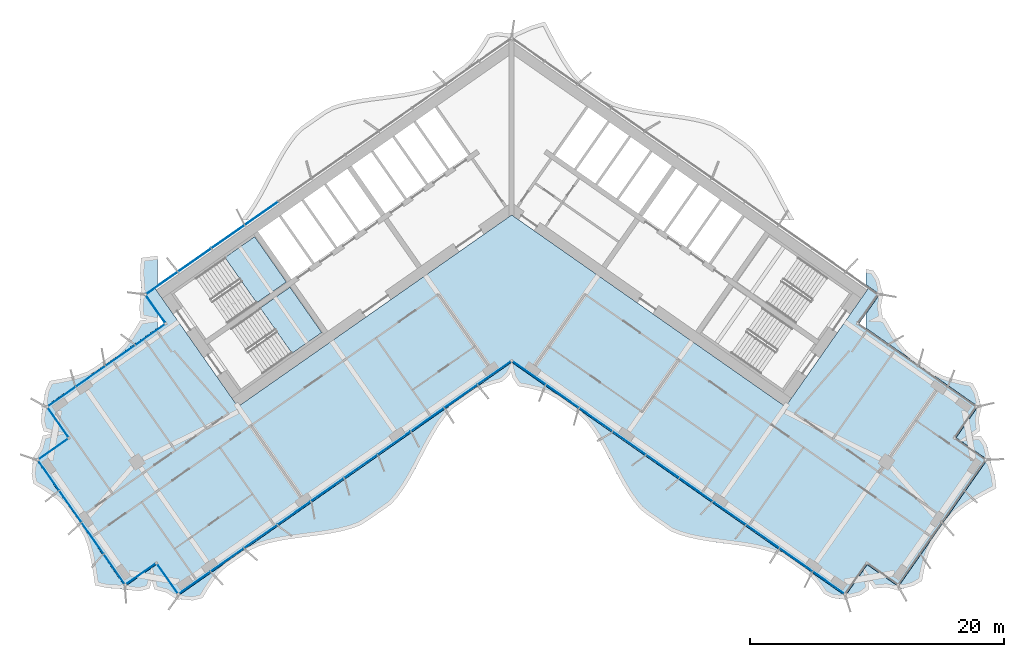
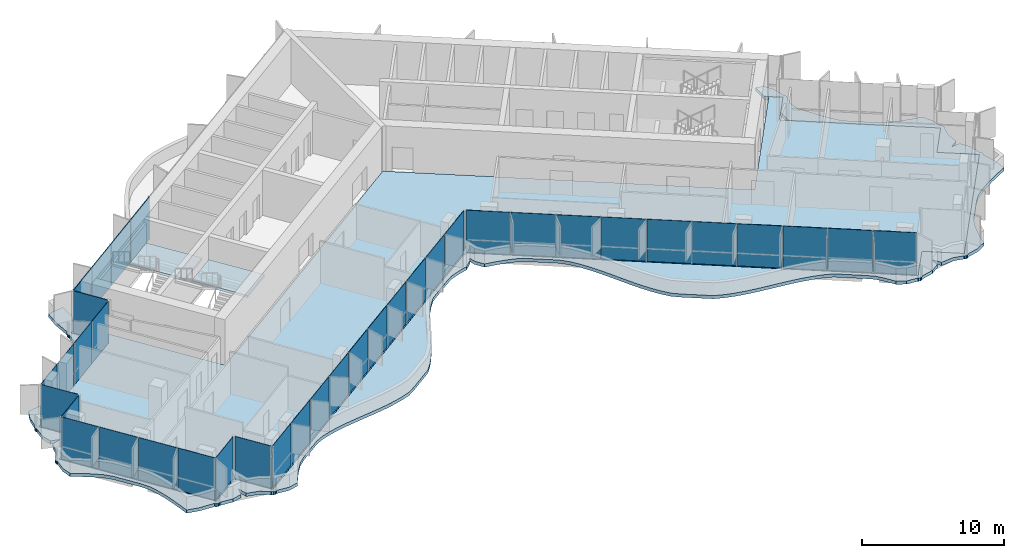
# One storey, part 12 of 23: 37 plates, 4 slabs, 4 elements without a shape of their own.
"""IFC4 building model written with IfcOpenShell, lengths in metres."""

from ifc_helpers import new_model, si_unit, direction, frame, origin, origin_2d, place, context, subcontext, project, spatial, polyline, rectangle, outline, extrude, material, layer, layer_set, type_object, element, aggregate, save


model = new_model("IFC4")

# Units and contexts
model_context = context("Model", 3, precision=1e-05, world=origin(), true_north=direction((0.0, 1.0)))
body_context = subcontext(model_context, "Body", "Model", "MODEL_VIEW")
ifc_project = project(units=[si_unit("LENGTHUNIT", "METRE"), si_unit("AREAUNIT", "SQUARE_METRE"), si_unit("VOLUMEUNIT", "CUBIC_METRE"), si_unit("PLANEANGLEUNIT", "RADIAN"), si_unit("MASSUNIT", "GRAM", prefix="KILO")], contexts=[model_context])

# Site, building, storey
site_placement = place(None, origin())
site = spatial("IfcSite", under=ifc_project, at=site_placement, CompositionType="ELEMENT")
building_placement = place(site_placement, origin())
building = spatial("IfcBuilding", under=site, at=building_placement, Name="Tel Ilan Convention Tower", CompositionType="ELEMENT")
storey_placement = place(building_placement, frame((0.0, 0.0, 178.800048828125)))
storey = spatial("IfcBuildingStorey", under=building, at=storey_placement, Name="L41", CompositionType="ELEMENT", Elevation=178.800048828125)

# Curtain wall, plates
ifc_material_1 = material(Name="Aluminium, bronze anodised", Category="aluminium")
curtain_wall_type_1 = type_object("IfcCurtainWallType", Name="CW4 STICK CURTAIN WALL, OFFICE TINTED GLASS", PredefinedType="NOTDEFINED", material=ifc_material_1)
curtain_wall_1_placement = place(storey_placement, origin())
curtain_wall_1 = element("IfcCurtainWall", 1, at=curtain_wall_1_placement, inside=storey, type_object=curtain_wall_type_1, Name="Curtain wall CW4-31.02", PredefinedType="NOTDEFINED")
ifc_material_2 = material(Name="Glass, bronze tinted, two-ply", Category="glass")
ifc_layer_1 = layer(ifc_material_2, 0.028076171875)
ifc_layer_set_1 = layer_set([ifc_layer_1], Name="CW GLASS PANEL 28")
plate_type_1 = type_object("IfcPlateType", Name="CW GLASS PANEL 28", PredefinedType="CURTAIN_PANEL", material=ifc_layer_set_1)
plate_1_placement = place(storey_placement, frame((-28.450927734375, -10.6435546875, 0.0), z_axis=(0.0, 0.0, 1.0), x_axis=(-0.819152044289, -0.573576436351, 0.0)))
plate_1 = element("IfcPlate", 2, at=plate_1_placement, type_object=plate_type_1, Name="Glass panel", PredefinedType="CURTAIN_PANEL", context=body_context, shape_type="SweptSolid", body=[
    extrude(rectangle(XDim=2.819091796875, YDim=0.028076171875, at=origin_2d()), origin(), (0.0, 0.0, 1.0), 3.6201171875),
])
plate_2_placement = place(storey_placement, frame((-30.79736328125, -12.28662109375, 0.0), z_axis=(0.0, 0.0, 1.0), x_axis=(-0.819152044289, -0.573576436351, 0.0)))
plate_2 = element("IfcPlate", 3, at=plate_2_placement, type_object=plate_type_1, Name="Glass panel", PredefinedType="CURTAIN_PANEL", context=body_context, shape_type="SweptSolid", body=[
    extrude(rectangle(XDim=2.7900390625, YDim=0.028076171875, at=origin_2d()), origin(), (0.0, 0.0, 1.0), 3.6201171875),
])
plate_3_placement = place(storey_placement, frame((-33.1318359375, -13.92138671875, 0.0), z_axis=(0.0, 0.0, 1.0), x_axis=(-0.819152044289, -0.573576436351, 0.0)))
plate_3 = element("IfcPlate", 4, at=plate_3_placement, type_object=plate_type_1, Name="Glass panel", PredefinedType="CURTAIN_PANEL", context=body_context, shape_type="SweptSolid", body=[
    extrude(rectangle(XDim=2.7900390625, YDim=0.028076171875, at=origin_2d()), origin(), (0.0, 0.0, 1.0), 3.6201171875),
])
plate_4_placement = place(storey_placement, frame((-35.427978515625, -15.529052734375, 0.0), z_axis=(0.0, 0.0, 1.0), x_axis=(-0.819152044289, -0.573576436351, 0.0)))
plate_4 = element("IfcPlate", 5, at=plate_4_placement, type_object=plate_type_1, Name="Glass panel", PredefinedType="CURTAIN_PANEL", context=body_context, shape_type="SweptSolid", body=[
    extrude(rectangle(XDim=2.696044921875, YDim=0.028076171875, at=origin_2d()), origin(), (0.0, 0.0, 1.0), 3.6201171875),
])
plate_5_placement = place(storey_placement, frame((-35.713623046875, -17.51318359375, 0.0), z_axis=(0.0, 0.0, 1.0), x_axis=(0.573576436351, -0.819152044289, 0.0)))
plate_5 = element("IfcPlate", 6, at=plate_5_placement, type_object=plate_type_1, Name="Glass panel", PredefinedType="CURTAIN_PANEL", context=body_context, shape_type="SweptSolid", body=[
    extrude(rectangle(XDim=2.875, YDim=0.028076171875, at=origin_2d()), origin(), (0.0, 0.0, 1.0), 3.6201171875),
])
plate_6_placement = place(storey_placement, frame((-36.09130859375, -19.656005859375, 0.0), z_axis=(0.0, 0.0, 1.0), x_axis=(-0.819152044289, -0.573576436351, 0.0)))
plate_6 = element("IfcPlate", 7, at=plate_6_placement, type_object=plate_type_1, Name="Glass panel", PredefinedType="CURTAIN_PANEL", context=body_context, shape_type="SweptSolid", body=[
    extrude(rectangle(XDim=2.875, YDim=0.028076171875, at=origin_2d()), origin(), (0.0, 0.0, 1.0), 3.6201171875),
])
plate_7_placement = place(storey_placement, frame((-36.4443359375, -21.699951171875, 0.0), z_axis=(0.0, 0.0, 1.0), x_axis=(0.573576436351, -0.819152044289, 0.0)))
plate_7 = element("IfcPlate", 8, at=plate_7_placement, type_object=plate_type_1, Name="Glass panel", PredefinedType="CURTAIN_PANEL", context=body_context, shape_type="SweptSolid", body=[
    extrude(rectangle(XDim=2.89599609375, YDim=0.028076171875, at=origin_2d()), origin(), (0.0, 0.0, 1.0), 3.6201171875),
])
plate_8_placement = place(storey_placement, frame((-34.721923828125, -24.159912109375, 0.0), z_axis=(0.0, 0.0, 1.0), x_axis=(0.573576436351, -0.819152044289, 0.0)))
plate_8 = element("IfcPlate", 9, at=plate_8_placement, type_object=plate_type_1, Name="Glass panel", PredefinedType="CURTAIN_PANEL", context=body_context, shape_type="SweptSolid", body=[
    extrude(rectangle(XDim=2.989990234375, YDim=0.028076171875, at=origin_2d()), origin(), (0.0, 0.0, 1.0), 3.6201171875),
])
plate_9_placement = place(storey_placement, frame((-32.972412109375, -26.658203125, 0.0), z_axis=(0.0, 0.0, 1.0), x_axis=(0.573576436351, -0.819152044289, 0.0)))
plate_9 = element("IfcPlate", 10, at=plate_9_placement, type_object=plate_type_1, Name="Glass panel", PredefinedType="CURTAIN_PANEL", context=body_context, shape_type="SweptSolid", body=[
    extrude(rectangle(XDim=2.989990234375, YDim=0.028076171875, at=origin_2d()), origin(), (0.0, 0.0, 1.0), 3.6201171875),
])
plate_10_placement = place(storey_placement, frame((-31.25, -29.1181640625, 0.0), z_axis=(0.0, 0.0, 1.0), x_axis=(0.573576436351, -0.819152044289, 0.0)))
plate_10 = element("IfcPlate", 11, at=plate_10_placement, type_object=plate_type_1, Name="Glass panel", PredefinedType="CURTAIN_PANEL", context=body_context, shape_type="SweptSolid", body=[
    extrude(rectangle(XDim=2.89599609375, YDim=0.028076171875, at=origin_2d()), origin(), (0.0, 0.0, 1.0), 3.6201171875),
])
plate_11_placement = place(storey_placement, frame((-29.20849609375, -29.48583984375, 0.0), z_axis=(0.0, 0.0, 1.0), x_axis=(0.819152044289, 0.573576436351, 0.0)))
plate_11 = element("IfcPlate", 12, at=plate_11_placement, type_object=plate_type_1, Name="Glass panel", PredefinedType="CURTAIN_PANEL", context=body_context, shape_type="SweptSolid", body=[
    extrude(rectangle(XDim=2.875, YDim=0.028076171875, at=origin_2d()), origin(), (0.0, 0.0, 1.0), 3.6201171875),
])
plate_12_placement = place(storey_placement, frame((-27.065673828125, -29.863525390625, 0.0), z_axis=(0.0, 0.0, 1.0), x_axis=(0.573576436351, -0.819152044289, 0.0)))
plate_12 = element("IfcPlate", 13, at=plate_12_placement, type_object=plate_type_1, Name="Glass panel", PredefinedType="CURTAIN_PANEL", context=body_context, shape_type="SweptSolid", body=[
    extrude(rectangle(XDim=2.875, YDim=0.028076171875, at=origin_2d()), origin(), (0.0, 0.0, 1.0), 3.6201171875),
])
plate_13_placement = place(storey_placement, frame((-24.958251953125, -30.172119140625, 0.0), z_axis=(0.0, 0.0, 1.0), x_axis=(0.819152044289, 0.573576436351, 0.0)))
plate_13 = element("IfcPlate", 14, at=plate_13_placement, type_object=plate_type_1, Name="Glass panel", PredefinedType="CURTAIN_PANEL", context=body_context, shape_type="SweptSolid", body=[
    extrude(rectangle(XDim=3.05078125, YDim=0.028076171875, at=origin_2d()), origin(), (0.0, 0.0, 1.0), 3.6201171875),
])
plate_14_placement = place(storey_placement, frame((-22.37158203125, -28.36083984375, 0.0), z_axis=(0.0, 0.0, 1.0), x_axis=(0.819152044289, 0.573576436351, 0.0)))
plate_14 = element("IfcPlate", 15, at=plate_14_placement, type_object=plate_type_1, Name="Glass panel", PredefinedType="CURTAIN_PANEL", context=body_context, shape_type="SweptSolid", body=[
    extrude(rectangle(XDim=3.144775390625, YDim=0.028076171875, at=origin_2d()), origin(), (0.0, 0.0, 1.0), 3.6201171875),
])
plate_15_placement = place(storey_placement, frame((-19.746337890625, -26.522705078125, 0.0), z_axis=(0.0, 0.0, 1.0), x_axis=(0.819152044289, 0.573576436351, 0.0)))
plate_15 = element("IfcPlate", 16, at=plate_15_placement, type_object=plate_type_1, Name="Glass panel", PredefinedType="CURTAIN_PANEL", context=body_context, shape_type="SweptSolid", body=[
    extrude(rectangle(XDim=3.144775390625, YDim=0.028076171875, at=origin_2d()), origin(), (0.0, 0.0, 1.0), 3.6201171875),
])
plate_16_placement = place(storey_placement, frame((-17.12109375, -24.684326171875, 0.0), z_axis=(0.0, 0.0, 1.0), x_axis=(0.819152044289, 0.573576436351, 0.0)))
plate_16 = element("IfcPlate", 17, at=plate_16_placement, type_object=plate_type_1, Name="Glass panel", PredefinedType="CURTAIN_PANEL", context=body_context, shape_type="SweptSolid", body=[
    extrude(rectangle(XDim=3.144775390625, YDim=0.028076171875, at=origin_2d()), origin(), (0.0, 0.0, 1.0), 3.6201171875),
])
plate_17_placement = place(storey_placement, frame((-14.49609375, -22.84619140625, 0.0), z_axis=(0.0, 0.0, 1.0), x_axis=(0.819152044289, 0.573576436351, 0.0)))
plate_17 = element("IfcPlate", 18, at=plate_17_placement, type_object=plate_type_1, Name="Glass panel", PredefinedType="CURTAIN_PANEL", context=body_context, shape_type="SweptSolid", body=[
    extrude(rectangle(XDim=3.144775390625, YDim=0.028076171875, at=origin_2d()), origin(), (0.0, 0.0, 1.0), 3.6201171875),
])
plate_18_placement = place(storey_placement, frame((-11.870849609375, -21.008056640625, 0.0), z_axis=(0.0, 0.0, 1.0), x_axis=(0.819152044289, 0.573576436351, 0.0)))
plate_18 = element("IfcPlate", 19, at=plate_18_placement, type_object=plate_type_1, Name="Glass panel", PredefinedType="CURTAIN_PANEL", context=body_context, shape_type="SweptSolid", body=[
    extrude(rectangle(XDim=3.144775390625, YDim=0.028076171875, at=origin_2d()), origin(), (0.0, 0.0, 1.0), 3.6201171875),
])
plate_19_placement = place(storey_placement, frame((-9.24560546875, -19.169921875, 0.0), z_axis=(0.0, 0.0, 1.0), x_axis=(0.819152044289, 0.573576436351, 0.0)))
plate_19 = element("IfcPlate", 20, at=plate_19_placement, type_object=plate_type_1, Name="Glass panel", PredefinedType="CURTAIN_PANEL", context=body_context, shape_type="SweptSolid", body=[
    extrude(rectangle(XDim=3.144775390625, YDim=0.028076171875, at=origin_2d()), origin(), (0.0, 0.0, 1.0), 3.6201171875),
])
plate_20_placement = place(storey_placement, frame((-6.620361328125, -17.331787109375, 0.0), z_axis=(0.0, 0.0, 1.0), x_axis=(0.819152044289, 0.573576436351, 0.0)))
plate_20 = element("IfcPlate", 21, at=plate_20_placement, type_object=plate_type_1, Name="Glass panel", PredefinedType="CURTAIN_PANEL", context=body_context, shape_type="SweptSolid", body=[
    extrude(rectangle(XDim=3.144775390625, YDim=0.028076171875, at=origin_2d()), origin(), (0.0, 0.0, 1.0), 3.6201171875),
])
plate_21_placement = place(storey_placement, frame((-3.9951171875, -15.493408203125, 0.0), z_axis=(0.0, 0.0, 1.0), x_axis=(0.819152044289, 0.573576436351, 0.0)))
plate_21 = element("IfcPlate", 22, at=plate_21_placement, type_object=plate_type_1, Name="Glass panel", PredefinedType="CURTAIN_PANEL", context=body_context, shape_type="SweptSolid", body=[
    extrude(rectangle(XDim=3.144775390625, YDim=0.028076171875, at=origin_2d()), origin(), (0.0, 0.0, 1.0), 3.6201171875),
])
plate_22_placement = place(storey_placement, frame((-1.370361328125, -13.655517578125, 0.0), z_axis=(0.0, 0.0, 1.0), x_axis=(0.819152044289, 0.573576436351, 0.0)))
plate_22 = element("IfcPlate", 23, at=plate_22_placement, type_object=plate_type_1, Name="Glass panel", PredefinedType="CURTAIN_PANEL", context=body_context, shape_type="SweptSolid", body=[
    extrude(rectangle(XDim=3.143798828125, YDim=0.028076171875, at=origin_2d()), origin(), (0.0, 0.0, 1.0), 3.6201171875),
])
plate_23_placement = place(storey_placement, frame((1.3818359375, -13.66357421875, 0.0), z_axis=(0.0, 0.0, 1.0), x_axis=(0.819152044289, -0.573576436351, 0.0)))
plate_23 = element("IfcPlate", 24, at=plate_23_placement, type_object=plate_type_1, Name="Glass panel", PredefinedType="CURTAIN_PANEL", context=body_context, shape_type="SweptSolid", body=[
    extrude(rectangle(XDim=3.11572265625, YDim=0.028076171875, at=origin_2d()), origin(), (0.0, 0.0, 1.0), 3.6201171875),
])
plate_24_placement = place(storey_placement, frame((3.9951171875, -15.493408203125, 0.0), z_axis=(0.0, 0.0, 1.0), x_axis=(0.819152044289, -0.573576436351, 0.0)))
plate_24 = element("IfcPlate", 25, at=plate_24_placement, type_object=plate_type_1, Name="Glass panel", PredefinedType="CURTAIN_PANEL", context=body_context, shape_type="SweptSolid", body=[
    extrude(rectangle(XDim=3.144775390625, YDim=0.028076171875, at=origin_2d()), origin(), (0.0, 0.0, 1.0), 3.6201171875),
])
plate_25_placement = place(storey_placement, frame((6.620361328125, -17.331787109375, 0.0), z_axis=(0.0, 0.0, 1.0), x_axis=(0.819152044289, -0.573576436351, 0.0)))
plate_25 = element("IfcPlate", 26, at=plate_25_placement, type_object=plate_type_1, Name="Glass panel", PredefinedType="CURTAIN_PANEL", context=body_context, shape_type="SweptSolid", body=[
    extrude(rectangle(XDim=3.144775390625, YDim=0.028076171875, at=origin_2d()), origin(), (0.0, 0.0, 1.0), 3.6201171875),
])
plate_26_placement = place(storey_placement, frame((9.24560546875, -19.169921875, 0.0), z_axis=(0.0, 0.0, 1.0), x_axis=(0.819152044289, -0.573576436351, 0.0)))
plate_26 = element("IfcPlate", 27, at=plate_26_placement, type_object=plate_type_1, Name="Glass panel", PredefinedType="CURTAIN_PANEL", context=body_context, shape_type="SweptSolid", body=[
    extrude(rectangle(XDim=3.144775390625, YDim=0.028076171875, at=origin_2d()), origin(), (0.0, 0.0, 1.0), 3.6201171875),
])
plate_27_placement = place(storey_placement, frame((11.870849609375, -21.008056640625, 0.0), z_axis=(0.0, 0.0, 1.0), x_axis=(0.819152044289, -0.573576436351, 0.0)))
plate_27 = element("IfcPlate", 28, at=plate_27_placement, type_object=plate_type_1, Name="Glass panel", PredefinedType="CURTAIN_PANEL", context=body_context, shape_type="SweptSolid", body=[
    extrude(rectangle(XDim=3.144775390625, YDim=0.028076171875, at=origin_2d()), origin(), (0.0, 0.0, 1.0), 3.6201171875),
])
plate_28_placement = place(storey_placement, frame((14.49609375, -22.84619140625, 0.0), z_axis=(0.0, 0.0, 1.0), x_axis=(0.819152044289, -0.573576436351, 0.0)))
plate_28 = element("IfcPlate", 29, at=plate_28_placement, type_object=plate_type_1, Name="Glass panel", PredefinedType="CURTAIN_PANEL", context=body_context, shape_type="SweptSolid", body=[
    extrude(rectangle(XDim=3.144775390625, YDim=0.028076171875, at=origin_2d()), origin(), (0.0, 0.0, 1.0), 3.6201171875),
])
plate_29_placement = place(storey_placement, frame((17.12109375, -24.684326171875, 0.0), z_axis=(0.0, 0.0, 1.0), x_axis=(0.819152044289, -0.573576436351, 0.0)))
plate_29 = element("IfcPlate", 30, at=plate_29_placement, type_object=plate_type_1, Name="Glass panel", PredefinedType="CURTAIN_PANEL", context=body_context, shape_type="SweptSolid", body=[
    extrude(rectangle(XDim=3.144775390625, YDim=0.028076171875, at=origin_2d()), origin(), (0.0, 0.0, 1.0), 3.6201171875),
])
plate_30_placement = place(storey_placement, frame((19.746337890625, -26.522705078125, 0.0), z_axis=(0.0, 0.0, 1.0), x_axis=(0.819152044289, -0.573576436351, 0.0)))
plate_30 = element("IfcPlate", 31, at=plate_30_placement, type_object=plate_type_1, Name="Glass panel", PredefinedType="CURTAIN_PANEL", context=body_context, shape_type="SweptSolid", body=[
    extrude(rectangle(XDim=3.144775390625, YDim=0.028076171875, at=origin_2d()), origin(), (0.0, 0.0, 1.0), 3.6201171875),
])
plate_31_placement = place(storey_placement, frame((22.37158203125, -28.36083984375, 0.0), z_axis=(0.0, 0.0, 1.0), x_axis=(0.819152044289, -0.573576436351, 0.0)))
plate_31 = element("IfcPlate", 32, at=plate_31_placement, type_object=plate_type_1, Name="Glass panel", PredefinedType="CURTAIN_PANEL", context=body_context, shape_type="SweptSolid", body=[
    extrude(rectangle(XDim=3.144775390625, YDim=0.028076171875, at=origin_2d()), origin(), (0.0, 0.0, 1.0), 3.6201171875),
])
plate_32_placement = place(storey_placement, frame((24.958251953125, -30.172119140625, 0.0), z_axis=(0.0, 0.0, 1.0), x_axis=(0.819152044289, -0.573576436351, 0.0)))
plate_32 = element("IfcPlate", 33, at=plate_32_placement, type_object=plate_type_1, Name="Glass panel", PredefinedType="CURTAIN_PANEL", context=body_context, shape_type="SweptSolid", body=[
    extrude(rectangle(XDim=3.05078125, YDim=0.028076171875, at=origin_2d()), origin(), (0.0, 0.0, 1.0), 3.6201171875),
])
aggregate(curtain_wall_1, [plate_1, plate_2, plate_3, plate_4, plate_5, plate_6, plate_7, plate_8, plate_9, plate_10, plate_11, plate_12, plate_13, plate_14, plate_15, plate_16, plate_17, plate_18, plate_19, plate_20, plate_21, plate_22, plate_23, plate_24, plate_25, plate_26, plate_27, plate_28, plate_29, plate_30, plate_31, plate_32])

ifc_material_3 = material(Name="Aluminium, bronze anodised", Category="aluminium")
curtain_wall_type_2 = type_object("IfcCurtainWallType", Name="CW2 STICK CURTAIN WALL, SPANDREL PANELS", PredefinedType="NOTDEFINED", material=ifc_material_3)
curtain_wall_2_placement = place(storey_placement, origin())
curtain_wall_2 = element("IfcCurtainWall", 34, at=curtain_wall_2_placement, inside=storey, type_object=curtain_wall_type_2, Name="Curtain wall CW2-31.01", PredefinedType="NOTDEFINED")
ifc_material_4 = material(Name="Aluminium composite panel, bronze anodised", Category="aluminium")
ifc_layer_2 = layer(ifc_material_4, 0.06005859375)
ifc_layer_set_2 = layer_set([ifc_layer_2], Name="CW SPANDREL PANEL 60")
plate_type_2 = type_object("IfcPlateType", Name="CW SPANDREL PANEL 60", PredefinedType="CURTAIN_PANEL", material=ifc_layer_set_2)
plate_33_placement = place(storey_placement, frame((-19.687255859375, -1.089111328125, 0.0), z_axis=(0.0, 0.0, 1.0), x_axis=(-0.819152044289, -0.573576436351, 0.0)))
plate_33 = element("IfcPlate", 35, at=plate_33_placement, type_object=plate_type_2, Name="Spandrel panel", PredefinedType="CURTAIN_PANEL", context=body_context, shape_type="SweptSolid", body=[
    extrude(rectangle(XDim=3.15380859375, YDim=0.06005859375, at=origin_2d()), origin(), (0.0, 0.0, 1.0), 3.6201171875),
])
plate_34_placement = place(storey_placement, frame((-22.31982421875, -2.9326171875, 0.0), z_axis=(0.0, 0.0, 1.0), x_axis=(-0.819152044289, -0.573576436351, 0.0)))
plate_34 = element("IfcPlate", 36, at=plate_34_placement, type_object=plate_type_2, Name="Spandrel panel", PredefinedType="CURTAIN_PANEL", context=body_context, shape_type="SweptSolid", body=[
    extrude(rectangle(XDim=3.15380859375, YDim=0.06005859375, at=origin_2d()), origin(), (0.0, 0.0, 1.0), 3.6201171875),
])
plate_35_placement = place(storey_placement, frame((-24.95263671875, -4.77587890625, 0.0), z_axis=(0.0, 0.0, 1.0), x_axis=(-0.819152044289, -0.573576436351, 0.0)))
plate_35 = element("IfcPlate", 37, at=plate_35_placement, type_object=plate_type_2, Name="Spandrel panel", PredefinedType="CURTAIN_PANEL", context=body_context, shape_type="SweptSolid", body=[
    extrude(rectangle(XDim=3.15380859375, YDim=0.06005859375, at=origin_2d()), origin(), (0.0, 0.0, 1.0), 3.6201171875),
])
plate_36_placement = place(storey_placement, frame((-27.5400390625, -6.587646484375, 0.0), z_axis=(0.0, 0.0, 1.0), x_axis=(-0.819152044289, -0.573576436351, 0.0)))
plate_36 = element("IfcPlate", 38, at=plate_36_placement, type_object=plate_type_2, Name="Spandrel panel", PredefinedType="CURTAIN_PANEL", context=body_context, shape_type="SweptSolid", body=[
    extrude(rectangle(XDim=3.0439453125, YDim=0.06005859375, at=origin_2d()), origin(), (0.0, 0.0, 1.0), 3.6201171875),
])
plate_37_placement = place(storey_placement, frame((-28.033935546875, -8.60546875, 0.0), z_axis=(0.0, 0.0, 1.0), x_axis=(0.573576436351, -0.819152044289, 0.0)))
plate_37 = element("IfcPlate", 39, at=plate_37_placement, type_object=plate_type_2, Name="Spandrel panel", PredefinedType="CURTAIN_PANEL", context=body_context, shape_type="SweptSolid", body=[
    extrude(rectangle(XDim=2.658935546875, YDim=0.06005859375, at=origin_2d()), origin(), (0.0, 0.0, 1.0), 3.6201171875),
])
aggregate(curtain_wall_2, [plate_33, plate_34, plate_35, plate_36, plate_37])

# Stair, slab
ifc_material_5 = material(Name="Concrete C40/50", Category="concrete")
stair_type = type_object("IfcStairType", Name="Pressurised Exit Stair 22 risers 177 mm", PredefinedType="HALF_TURN_STAIR", material=ifc_material_5)
stair_1_placement = place(storey_placement, origin())
stair_1 = element("IfcStair", 40, at=stair_1_placement, inside=storey, type_object=stair_type, Name="L41 Pressurised Stair S1", PredefinedType="HALF_TURN_STAIR")
ifc_material_6 = material(Name="Concrete C40/50", Category="concrete")
ifc_layer_3 = layer(ifc_material_6, 0.199951171875)
ifc_layer_set_3 = layer_set([ifc_layer_3], Name="Concrete Stair Landing 200 mm C40/50")
slab_type_1 = type_object("IfcSlabType", Name="Concrete Stair Landing 200 mm", PredefinedType="LANDING", material=ifc_layer_set_3)
slab_1_placement = place(storey_placement, frame((0.0, 0.0, 1.75)))
slab_1 = element("IfcSlab", 41, at=slab_1_placement, type_object=slab_type_1, Name="S1 landing 1", PredefinedType="LANDING", context=body_context, shape_type="SweptSolid", body=[
    extrude(outline(polyline([(-20.066650390625, -8.130126953125), (-17.7314453125, -6.494873046875), (-20.226318359375, -2.931640625), (-22.561767578125, -4.566650390625), (-20.066650390625, -8.130126953125)])), origin(), (0.0, 0.0, 1.0), 0.199951171875),
])
aggregate(stair_1, [slab_1])

stair_2_placement = place(storey_placement, origin())
stair_2 = element("IfcStair", 42, at=stair_2_placement, inside=storey, type_object=stair_type, Name="L41 Pressurised Stair S2", PredefinedType="HALF_TURN_STAIR")
slab_2_placement = place(storey_placement, frame((0.0, 0.0, 1.75)))
slab_2 = element("IfcSlab", 43, at=slab_2_placement, type_object=slab_type_1, Name="S2 landing 1", PredefinedType="LANDING", context=body_context, shape_type="SweptSolid", body=[
    extrude(outline(polyline([(-17.28466796875, -12.10302734375), (-14.949462890625, -10.4677734375), (-17.444580078125, -6.904541015625), (-19.77978515625, -8.53955078125), (-17.28466796875, -12.10302734375)])), origin(), (0.0, 0.0, 1.0), 0.199951171875),
])
aggregate(stair_2, [slab_2])

# Slabs
ifc_material_7 = material(Name="Concrete C40/50", Category="concrete")
ifc_layer_4 = layer(ifc_material_7, 0.280029296875)
ifc_layer_set_4 = layer_set([ifc_layer_4], Name="Edge Ledge Slab 280 mm C40/50")
slab_type_2 = type_object("IfcSlabType", Name="Edge Ledge Slab 280 mm C40/50", PredefinedType="FLOOR", material=ifc_layer_set_4)
slab_3_placement = place(storey_placement, frame((0.0, 0.0, -0.280029296875)))
element("IfcSlab", 44, at=slab_3_placement, inside=storey, type_object=slab_type_2, Name="L41 edge ledge 1", PredefinedType="FLOOR", context=body_context, shape_type="SweptSolid", body=[
    extrude(outline(polyline([(-29.29443359375, -8.548583984375), (-29.20458984375, -7.631103515625), (-29.199951171875, -7.6279296875), (-29.236083984375, -7.57373046875), (-29.2587890625, -7.458984375), (-29.236083984375, -7.34423828125), (-29.1708984375, -7.246826171875), (-29.127685546875, -7.218017578125), (-29.130859375, -7.21337890625), (-29.231689453125, -5.78515625), (-29.161865234375, -4.60107421875), (-28.33935546875, -4.49169921875), (-27.875, -4.4326171875), (-27.875, -6.7001953125), (-28.958740234375, -7.458984375), (-27.875, -9.007080078125), (-27.875, -10.1181640625), (-36.691162109375, -16.29150390625), (-34.970458984375, -18.748779296875), (-37.427978515625, -20.469482421875), (-30.43017578125, -30.46337890625), (-27.972900390625, -28.74267578125), (-26.251953125, -31.199951171875), (0.0, -12.818115234375), (26.251953125, -31.199951171875), (27.972900390625, -28.74267578125), (30.43017578125, -30.46337890625), (37.427978515625, -20.469482421875), (34.970458984375, -18.748779296875), (36.691162109375, -16.29150390625), (27.875, -10.1181640625), (27.875, -9.007080078125), (28.958740234375, -7.458984375), (27.875, -6.7001953125), (27.875, -5.485595703125), (28.465576171875, -5.595458984375), (28.894287109375, -6.267333984375), (29.130859375, -7.21337890625), (29.127685546875, -7.218017578125), (29.1708984375, -7.246826171875), (29.236083984375, -7.34423828125), (29.2587890625, -7.458984375), (29.236083984375, -7.57373046875), (29.199951171875, -7.6279296875), (29.20458984375, -7.631103515625), (29.044921875, -8.373779296875), (29.194091796875, -9.332763671875), (29.132080078125, -9.36474609375), (29.356201171875, -9.3759765625), (29.74560546875, -10.06201171875), (30.151123046875, -10.72509765625), (30.5849609375, -11.347900390625), (31.052978515625, -11.92138671875), (31.6103515625, -12.36767578125), (33.361328125, -13.59375), (34.017333984375, -13.899169921875), (34.732421875, -14.1201171875), (35.47900390625, -14.2958984375), (36.246826171875, -14.44140625), (36.63134765625, -15.134521484375), (36.86328125, -16.045654296875), (36.85986328125, -16.05029296875), (36.9033203125, -16.079345703125), (36.96826171875, -16.176513671875), (36.9912109375, -16.29150390625), (36.96826171875, -16.40625), (36.93212890625, -16.460205078125), (36.93701171875, -16.46337890625), (36.748779296875, -17.24755859375), (36.839599609375, -18.2265625), (36.20458984375, -18.665283203125), (36.905517578125, -18.6005859375), (37.3603515625, -19.258544921875), (37.599853515625, -20.223876953125), (37.5966796875, -20.228515625), (37.639892578125, -20.257568359375), (37.705078125, -20.354736328125), (37.727783203125, -20.469482421875), (37.705078125, -20.58447265625), (37.6689453125, -20.638427734375), (37.673583984375, -20.6416015625), (38.010498046875, -21.753662109375), (38.13427734375, -22.71630859375), (37.423828125, -23.09521484375), (36.7236328125, -23.48095703125), (36.052734375, -23.88720703125), (35.421630859375, -24.3212890625), (34.83984375, -24.7900390625), (34.380615234375, -25.344482421875), (33.145751953125, -27.108154296875), (32.83154296875, -27.764404296875), (32.607177734375, -28.4833984375), (32.42919921875, -29.234619140625), (32.28369140625, -30.0087890625), (31.594482421875, -30.402587890625), (30.676025390625, -30.635498046875), (30.67138671875, -30.632080078125), (30.642333984375, -30.67529296875), (30.544921875, -30.740478515625), (30.43017578125, -30.76318359375), (30.3154296875, -30.740478515625), (30.261474609375, -30.704345703125), (30.25830078125, -30.708984375), (29.47412109375, -30.52099609375), (28.4951171875, -30.61181640625), (28.056396484375, -29.976806640625), (28.12109375, -30.677490234375), (27.463134765625, -31.132568359375), (26.497802734375, -31.3720703125), (26.4931640625, -31.368896484375), (26.464111328125, -31.412109375), (26.36669921875, -31.477294921875), (26.251953125, -31.5), (26.13720703125, -31.477294921875), (26.083251953125, -31.441162109375), (26.080078125, -31.44580078125), (25.2314453125, -31.358154296875), (24.565673828125, -31.009765625), (24.111328125, -30.35888671875), (23.619384765625, -29.76220703125), (23.02734375, -29.308349609375), (21.19580078125, -28.02587890625), (20.475830078125, -27.7548828125), (19.716064453125, -27.540283203125), (18.924072265625, -27.372314453125), (18.10791015625, -27.23828125), (17.27685546875, -27.1259765625), (16.44091796875, -27.0205078125), (15.610107421875, -26.9072265625), (14.794677734375, -26.7724609375), (14.003662109375, -26.602783203125), (13.245361328125, -26.386474609375), (12.530029296875, -26.108642578125), (10.698486328125, -24.826171875), (10.110107421875, -24.3671875), (9.61962890625, -23.768310546875), (9.166748046875, -23.115478515625), (8.744384765625, -22.41943359375), (8.343994140625, -21.69189453125), (7.956298828125, -20.9462890625), (7.57080078125, -20.197509765625), (7.177490234375, -19.45947265625), (6.76708984375, -18.74658203125), (6.329833984375, -18.071533203125), (5.8583984375, -17.445556640625), (5.322509765625, -16.9111328125), (3.490966796875, -15.62890625), (2.833251953125, -15.268798828125), (2.093017578125, -15.0263671875), (1.31689453125, -14.835693359375), (0.51220703125, -14.685546875), (0.06640625, -14.0224609375), (-0.055419921875, -13.53271484375), (-0.200439453125, -13.831298828125), (-0.755615234375, -14.337890625), (-1.5224609375, -14.5419921875), (-2.251708984375, -14.800048828125), (-2.880615234375, -15.201416015625), (-4.7119140625, -16.48388671875), (-5.212890625, -17.067626953125), (-5.67431640625, -17.708251953125), (-6.103271484375, -18.39501953125), (-6.508056640625, -19.1162109375), (-6.898193359375, -19.858642578125), (-7.283203125, -20.608154296875), (-7.673583984375, -21.35009765625), (-8.0791015625, -22.0703125), (-8.509033203125, -22.755615234375), (-8.9716796875, -23.39404296875), (-9.4775390625, -23.97119140625), (-11.30908203125, -25.253662109375), (-11.941650390625, -25.649658203125), (-12.672119140625, -25.90576171875), (-13.4404296875, -26.10791015625), (-14.239013671875, -26.266845703125), (-15.059814453125, -26.394287109375), (-15.892822265625, -26.503662109375), (-16.728515625, -26.609619140625), (-17.556396484375, -26.726806640625), (-18.36669921875, -26.86865234375), (-19.150634765625, -27.048583984375), (-19.900146484375, -27.277587890625), (-20.58544921875, -27.598388671875), (-22.4169921875, -28.880859375), (-22.980224609375, -29.375732421875), (-23.4609375, -29.98828125), (-23.90576171875, -30.652587890625), (-24.322021484375, -31.357421875), (-25.097412109375, -31.54931640625), (-26.080078125, -31.44580078125), (-26.083251953125, -31.441162109375), (-26.13720703125, -31.477294921875), (-26.251953125, -31.5), (-26.36669921875, -31.477294921875), (-26.464111328125, -31.412109375), (-26.4931640625, -31.368896484375), (-26.497802734375, -31.3720703125), (-27.170166015625, -30.92724609375), (-28.12109375, -30.677490234375), (-28.31640625, -29.930908203125), (-28.4951171875, -30.61181640625), (-29.26904296875, -30.814208984375), (-30.25830078125, -30.708984375), (-30.261474609375, -30.704345703125), (-30.3154296875, -30.740478515625), (-30.43017578125, -30.76318359375), (-30.544921875, -30.740478515625), (-30.642333984375, -30.67529296875), (-30.67138671875, -30.632080078125), (-30.676025390625, -30.635498046875), (-31.836181640625, -30.57177734375), (-32.782958984375, -30.358642578125), (-32.89599609375, -29.5615234375), (-33.01904296875, -28.771728515625), (-33.17138671875, -28.002197265625), (-33.363525390625, -27.2607421875), (-33.60498046875, -26.5537109375), (-33.968994140625, -25.9326171875), (-35.203857421875, -24.1689453125), (-35.712890625, -23.649169921875), (-36.311767578125, -23.1923828125), (-36.95703125, -22.768310546875), (-37.634765625, -22.36669921875), (-37.76904296875, -21.584716796875), (-37.673583984375, -20.6416015625), (-37.6689453125, -20.638427734375), (-37.705078125, -20.58447265625), (-37.727783203125, -20.469482421875), (-37.705078125, -20.354736328125), (-37.639892578125, -20.257568359375), (-37.5966796875, -20.228515625), (-37.599853515625, -20.223876953125), (-37.1552734375, -19.551513671875), (-36.905517578125, -18.6005859375), (-36.15869140625, -18.4052734375), (-36.839599609375, -18.2265625), (-37.0419921875, -17.45263671875), (-36.93701171875, -16.46337890625), (-36.93212890625, -16.460205078125), (-36.96826171875, -16.40625), (-36.9912109375, -16.29150390625), (-36.96826171875, -16.176513671875), (-36.9033203125, -16.079345703125), (-36.85986328125, -16.05029296875), (-36.86328125, -16.045654296875), (-36.686767578125, -15.055419921875), (-36.35986328125, -14.280029296875), (-35.58203125, -14.148681640625), (-34.8203125, -13.994384765625), (-34.086669921875, -13.7998046875), (-33.387451171875, -13.55615234375), (-32.777587890625, -13.18505859375), (-31.026611328125, -11.958984375), (-30.515380859375, -11.447021484375), (-30.06298828125, -10.850830078125), (-29.642578125, -10.208984375), (-29.2431640625, -9.537353515625), (-28.64111328125, -9.44189453125), (-29.194091796875, -9.332763671875), (-29.29443359375, -8.548583984375)])), origin(), (0.0, 0.0, 1.0), 0.280029296875),
])
ifc_material_8 = material(Name="Concrete C40/50", Category="concrete")
ifc_layer_5 = layer(ifc_material_8, 0.280029296875)
ifc_layer_set_5 = layer_set([ifc_layer_5], Name="Flat Plate Floor Slab 280 mm C40/50")
slab_type_3 = type_object("IfcSlabType", Name="Flat Plate Floor Slab 280 mm C40/50", PredefinedType="FLOOR", material=ifc_layer_set_5)
slab_4_placement = place(storey_placement, frame((0.0, 0.0, -0.280029296875)))
element("IfcSlab", 45, at=slab_4_placement, inside=storey, type_object=slab_type_3, Name="L41 floor slab", PredefinedType="FLOOR", context=body_context, shape_type="SweptSolid", body=[
    extrude(outline(polyline([(21.54345703125, -16.3056640625), (28.1396484375, -6.885498046875), (28.958740234375, -7.458984375), (27.352783203125, -9.752685546875), (36.691162109375, -16.29150390625), (34.970458984375, -18.748779296875), (37.427978515625, -20.469482421875), (30.43017578125, -30.46337890625), (27.972900390625, -28.74267578125), (26.251953125, -31.199951171875), (0.0, -12.818115234375), (-26.251953125, -31.199951171875), (-27.972900390625, -28.74267578125), (-30.43017578125, -30.46337890625), (-37.427978515625, -20.469482421875), (-34.970458984375, -18.748779296875), (-36.691162109375, -16.29150390625), (-27.352783203125, -9.752685546875), (-28.958740234375, -7.458984375), (-28.1396484375, -6.885498046875), (-21.54345703125, -16.3056640625), (0.0, -1.220703125), (21.54345703125, -16.3056640625)])), origin(), (0.0, 0.0, 1.0), 0.280029296875),
])

save(model, "model.ifc")
